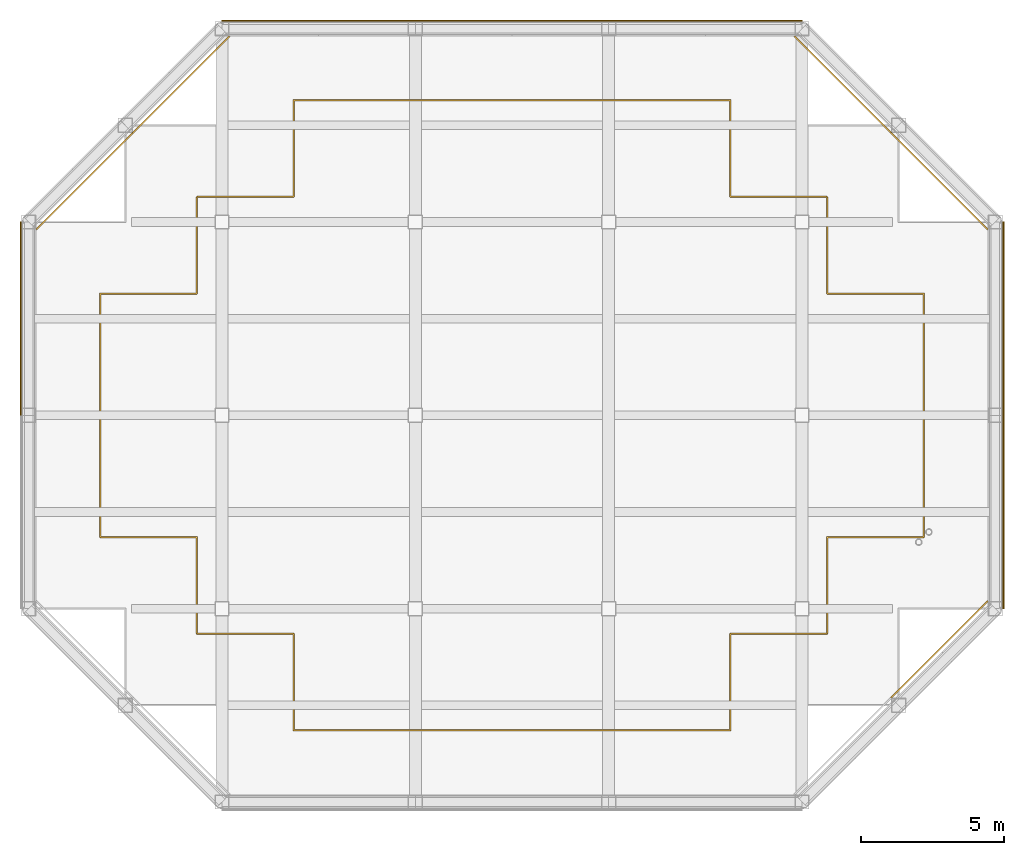
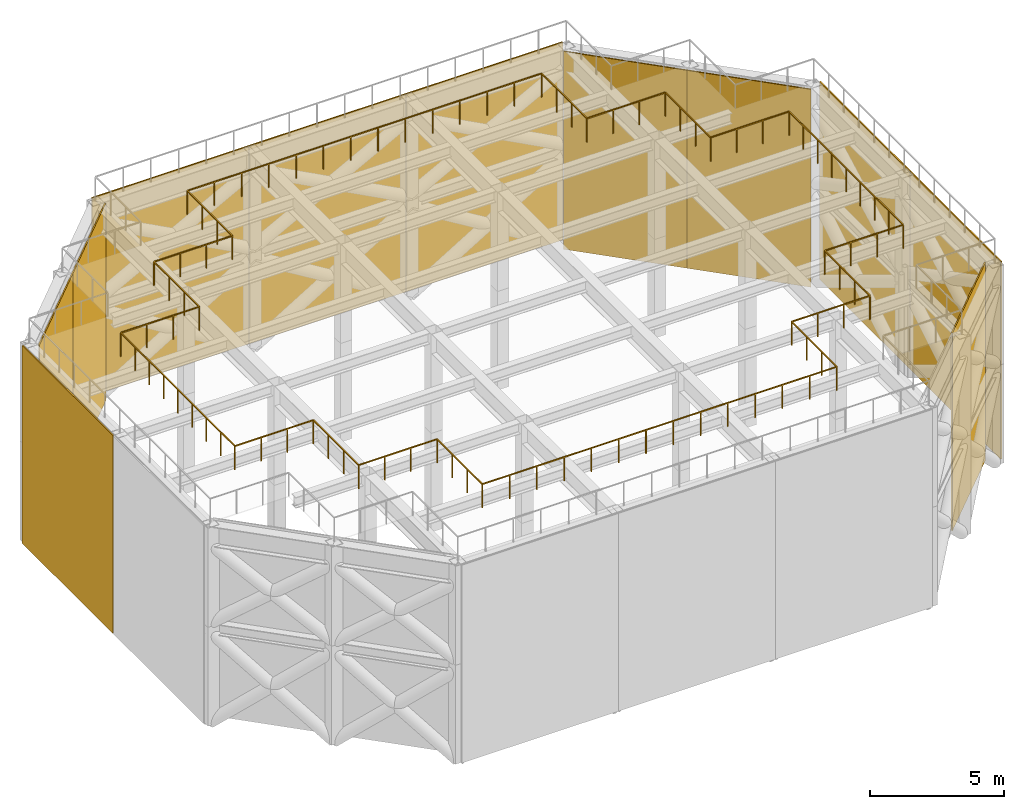
# One storey, part 5 of 5: 11 coverings, 1 railing.
"""IFC4 building model written with IfcOpenShell, lengths in metres."""

from ifc_helpers import new_model, si_unit, direction, frame, origin, origin_2d, place, context, subcontext, project, spatial, polyline, rectangle, outline, extrude, material, layer, layer_set, type_object, element, save


model = new_model("IFC4")

# Units and contexts
model_context = context("Model", 3, precision=1e-05, world=origin(), true_north=direction((0.0, 1.0)))
body_context = subcontext(model_context, "Body", "Model", "MODEL_VIEW")
ifc_project = project(units=[si_unit("LENGTHUNIT", "METRE"), si_unit("AREAUNIT", "SQUARE_METRE"), si_unit("VOLUMEUNIT", "CUBIC_METRE"), si_unit("PLANEANGLEUNIT", "RADIAN"), si_unit("MASSUNIT", "GRAM", prefix="KILO")], contexts=[model_context])

# Site, building, storey
site_placement = place(None, origin())
site = spatial("IfcSite", under=ifc_project, at=site_placement, CompositionType="ELEMENT")
building_placement = place(site_placement, origin())
building = spatial("IfcBuilding", under=site, at=building_placement, Name="Nyansa Garden Tower", CompositionType="ELEMENT")
storey_placement = place(building_placement, frame((0.0, 0.0, 259.199951171875)))
storey = spatial("IfcBuildingStorey", under=building, at=storey_placement, Name="L70", CompositionType="ELEMENT", Elevation=259.199951171875)

# Railing
ifc_material_1 = material(Name="Galvanised steel balustrade, 1.1 m", Category="steel")
railing_type = type_object("IfcRailingType", Name="Crown frame cap guard G5", PredefinedType="GUARDRAIL", material=ifc_material_1)
railing_placement = place(storey_placement, frame((31.25, 16.0, 9.0400390625)))
element("IfcRailing", 1, at=railing_placement, inside=storey, type_object=railing_type, Name="Crown frame cap guard inner", PredefinedType="GUARDRAIL", context=body_context, shape_type="SweptSolid", body=[
    extrude(rectangle(XDim=0.048095703125, YDim=0.048095703125, at=origin_2d()), frame((0.0, 0.0, 1.076171875), z_axis=(-1.0, 0.0, 0.0), x_axis=(0.0, -1.0, 0.0)), (0.0, 0.0, 1.0), 3.375),
    extrude(rectangle(XDim=0.048095703125, YDim=0.048095703125, at=origin_2d()), frame((-3.375, 0.0, 1.076171875), z_axis=(0.0, -1.0, 0.0), x_axis=(1.0, 0.0, 0.0)), (0.0, 0.0, 1.0), 3.375),
    extrude(rectangle(XDim=0.048095703125, YDim=0.048095703125, at=origin_2d()), frame((-3.375, -3.375, 1.076171875), z_axis=(-1.0, 0.0, 0.0), x_axis=(0.0, -1.0, 0.0)), (0.0, 0.0, 1.0), 3.375),
    extrude(rectangle(XDim=0.048095703125, YDim=0.048095703125, at=origin_2d()), frame((-6.75, -3.375, 1.076171875), z_axis=(0.0, -1.0, 0.0), x_axis=(1.0, 0.0, 0.0)), (0.0, 0.0, 1.0), 3.375),
    extrude(rectangle(XDim=0.048095703125, YDim=0.048095703125, at=origin_2d()), frame((-6.75, -6.75, 1.076171875), z_axis=(-1.0, 0.0, 0.0), x_axis=(0.0, -1.0, 0.0)), (0.0, 0.0, 1.0), 15.25),
    extrude(rectangle(XDim=0.048095703125, YDim=0.048095703125, at=origin_2d()), frame((-22.0, -6.75, 1.076171875), z_axis=(0.0, 1.0, 0.0), x_axis=(-1.0, 0.0, 0.0)), (0.0, 0.0, 1.0), 3.375),
    extrude(rectangle(XDim=0.048095703125, YDim=0.048095703125, at=origin_2d()), frame((-22.0, -3.375, 1.076171875), z_axis=(-1.0, 0.0, 0.0), x_axis=(0.0, -1.0, 0.0)), (0.0, 0.0, 1.0), 3.375),
    extrude(rectangle(XDim=0.048095703125, YDim=0.048095703125, at=origin_2d()), frame((-25.375, -3.375, 1.076171875), z_axis=(0.0, 1.0, 0.0), x_axis=(-1.0, 0.0, 0.0)), (0.0, 0.0, 1.0), 3.375),
    extrude(rectangle(XDim=0.048095703125, YDim=0.048095703125, at=origin_2d()), frame((-25.375, 0.0, 1.076171875), z_axis=(-1.0, 0.0, 0.0), x_axis=(0.0, -1.0, 0.0)), (0.0, 0.0, 1.0), 3.375),
    extrude(rectangle(XDim=0.048095703125, YDim=0.048095703125, at=origin_2d()), frame((-28.75, 0.0, 1.076171875), z_axis=(0.0, 1.0, 0.0), x_axis=(-1.0, 0.0, 0.0)), (0.0, 0.0, 1.0), 8.5),
    extrude(rectangle(XDim=0.048095703125, YDim=0.048095703125, at=origin_2d()), frame((-28.75, 8.5, 1.076171875), z_axis=(1.0, 0.0, 0.0), x_axis=(0.0, 1.0, 0.0)), (0.0, 0.0, 1.0), 3.375),
    extrude(rectangle(XDim=0.048095703125, YDim=0.048095703125, at=origin_2d()), frame((-25.375, 8.5, 1.076171875), z_axis=(0.0, 1.0, 0.0), x_axis=(-1.0, 0.0, 0.0)), (0.0, 0.0, 1.0), 3.375),
    extrude(rectangle(XDim=0.048095703125, YDim=0.048095703125, at=origin_2d()), frame((-25.375, 11.875, 1.076171875), z_axis=(1.0, 0.0, 0.0), x_axis=(0.0, 1.0, 0.0)), (0.0, 0.0, 1.0), 3.375),
    extrude(rectangle(XDim=0.048095703125, YDim=0.048095703125, at=origin_2d()), frame((-22.0, 11.875, 1.076171875), z_axis=(0.0, 1.0, 0.0), x_axis=(-1.0, 0.0, 0.0)), (0.0, 0.0, 1.0), 3.375),
    extrude(rectangle(XDim=0.048095703125, YDim=0.048095703125, at=origin_2d()), frame((-22.0, 15.25, 1.076171875), z_axis=(1.0, 0.0, 0.0), x_axis=(0.0, 1.0, 0.0)), (0.0, 0.0, 1.0), 15.25),
    extrude(rectangle(XDim=0.048095703125, YDim=0.048095703125, at=origin_2d()), frame((-6.75, 15.25, 1.076171875), z_axis=(0.0, -1.0, 0.0), x_axis=(1.0, 0.0, 0.0)), (0.0, 0.0, 1.0), 3.375),
    extrude(rectangle(XDim=0.048095703125, YDim=0.048095703125, at=origin_2d()), frame((-6.75, 11.875, 1.076171875), z_axis=(1.0, 0.0, 0.0), x_axis=(0.0, 1.0, 0.0)), (0.0, 0.0, 1.0), 3.375),
    extrude(rectangle(XDim=0.048095703125, YDim=0.048095703125, at=origin_2d()), frame((-3.375, 11.875, 1.076171875), z_axis=(0.0, -1.0, 0.0), x_axis=(1.0, 0.0, 0.0)), (0.0, 0.0, 1.0), 3.375),
    extrude(rectangle(XDim=0.048095703125, YDim=0.048095703125, at=origin_2d()), frame((-3.375, 8.5, 1.076171875), z_axis=(1.0, 0.0, 0.0), x_axis=(0.0, 1.0, 0.0)), (0.0, 0.0, 1.0), 3.375),
    extrude(rectangle(XDim=0.048095703125, YDim=0.048095703125, at=origin_2d()), frame((0.0, 8.5, 1.076171875), z_axis=(0.0, -1.0, 0.0), x_axis=(1.0, 0.0, 0.0)), (0.0, 0.0, 1.0), 8.5),
    extrude(rectangle(XDim=0.0419921875, YDim=0.0419921875, at=origin_2d()), origin(), (0.0, 0.0, 1.0), 1.052001953125),
    extrude(rectangle(XDim=0.0419921875, YDim=0.0419921875, at=origin_2d()), frame((-1.125, 0.0, 0.0)), (0.0, 0.0, 1.0), 1.052001953125),
    extrude(rectangle(XDim=0.0419921875, YDim=0.0419921875, at=origin_2d()), frame((-2.25, 0.0, 0.0)), (0.0, 0.0, 1.0), 1.052001953125),
    extrude(rectangle(XDim=0.0419921875, YDim=0.0419921875, at=origin_2d()), frame((-3.375, 0.0, 0.0)), (0.0, 0.0, 1.0), 1.052001953125),
    extrude(rectangle(XDim=0.0419921875, YDim=0.0419921875, at=origin_2d()), frame((-3.375, -1.125, 0.0)), (0.0, 0.0, 1.0), 1.052001953125),
    extrude(rectangle(XDim=0.0419921875, YDim=0.0419921875, at=origin_2d()), frame((-3.375, -2.25, 0.0)), (0.0, 0.0, 1.0), 1.052001953125),
    extrude(rectangle(XDim=0.0419921875, YDim=0.0419921875, at=origin_2d()), frame((-3.375, -3.375, 0.0)), (0.0, 0.0, 1.0), 1.052001953125),
    extrude(rectangle(XDim=0.0419921875, YDim=0.0419921875, at=origin_2d()), frame((-4.5, -3.375, 0.0)), (0.0, 0.0, 1.0), 1.052001953125),
    extrude(rectangle(XDim=0.0419921875, YDim=0.0419921875, at=origin_2d()), frame((-5.625, -3.375, 0.0)), (0.0, 0.0, 1.0), 1.052001953125),
    extrude(rectangle(XDim=0.0419921875, YDim=0.0419921875, at=origin_2d()), frame((-6.75, -3.375, 0.0)), (0.0, 0.0, 1.0), 1.052001953125),
    extrude(rectangle(XDim=0.0419921875, YDim=0.0419921875, at=origin_2d()), frame((-6.75, -4.5, 0.0)), (0.0, 0.0, 1.0), 1.052001953125),
    extrude(rectangle(XDim=0.0419921875, YDim=0.0419921875, at=origin_2d()), frame((-6.75, -5.625, 0.0)), (0.0, 0.0, 1.0), 1.052001953125),
    extrude(rectangle(XDim=0.0419921875, YDim=0.0419921875, at=origin_2d()), frame((-6.75, -6.75, 0.0)), (0.0, 0.0, 1.0), 1.052001953125),
    extrude(rectangle(XDim=0.0419921875, YDim=0.0419921875, at=origin_2d()), frame((-7.923095703125, -6.75, 0.0)), (0.0, 0.0, 1.0), 1.052001953125),
    extrude(rectangle(XDim=0.0419921875, YDim=0.0419921875, at=origin_2d()), frame((-9.09619140625, -6.75, 0.0)), (0.0, 0.0, 1.0), 1.052001953125),
    extrude(rectangle(XDim=0.0419921875, YDim=0.0419921875, at=origin_2d()), frame((-10.269287109375, -6.75, 0.0)), (0.0, 0.0, 1.0), 1.052001953125),
    extrude(rectangle(XDim=0.0419921875, YDim=0.0419921875, at=origin_2d()), frame((-11.4423828125, -6.75, 0.0)), (0.0, 0.0, 1.0), 1.052001953125),
    extrude(rectangle(XDim=0.0419921875, YDim=0.0419921875, at=origin_2d()), frame((-12.615478515625, -6.75, 0.0)), (0.0, 0.0, 1.0), 1.052001953125),
    extrude(rectangle(XDim=0.0419921875, YDim=0.0419921875, at=origin_2d()), frame((-13.78857421875, -6.75, 0.0)), (0.0, 0.0, 1.0), 1.052001953125),
    extrude(rectangle(XDim=0.0419921875, YDim=0.0419921875, at=origin_2d()), frame((-14.96142578125, -6.75, 0.0)), (0.0, 0.0, 1.0), 1.052001953125),
    extrude(rectangle(XDim=0.0419921875, YDim=0.0419921875, at=origin_2d()), frame((-16.134521484375, -6.75, 0.0)), (0.0, 0.0, 1.0), 1.052001953125),
    extrude(rectangle(XDim=0.0419921875, YDim=0.0419921875, at=origin_2d()), frame((-17.3076171875, -6.75, 0.0)), (0.0, 0.0, 1.0), 1.052001953125),
    extrude(rectangle(XDim=0.0419921875, YDim=0.0419921875, at=origin_2d()), frame((-18.480712890625, -6.75, 0.0)), (0.0, 0.0, 1.0), 1.052001953125),
    extrude(rectangle(XDim=0.0419921875, YDim=0.0419921875, at=origin_2d()), frame((-19.65380859375, -6.75, 0.0)), (0.0, 0.0, 1.0), 1.052001953125),
    extrude(rectangle(XDim=0.0419921875, YDim=0.0419921875, at=origin_2d()), frame((-20.826904296875, -6.75, 0.0)), (0.0, 0.0, 1.0), 1.052001953125),
    extrude(rectangle(XDim=0.0419921875, YDim=0.0419921875, at=origin_2d()), frame((-22.0, -6.75, 0.0)), (0.0, 0.0, 1.0), 1.052001953125),
    extrude(rectangle(XDim=0.0419921875, YDim=0.0419921875, at=origin_2d()), frame((-22.0, -5.625, 0.0)), (0.0, 0.0, 1.0), 1.052001953125),
    extrude(rectangle(XDim=0.0419921875, YDim=0.0419921875, at=origin_2d()), frame((-22.0, -4.5, 0.0)), (0.0, 0.0, 1.0), 1.052001953125),
    extrude(rectangle(XDim=0.0419921875, YDim=0.0419921875, at=origin_2d()), frame((-22.0, -3.375, 0.0)), (0.0, 0.0, 1.0), 1.052001953125),
    extrude(rectangle(XDim=0.0419921875, YDim=0.0419921875, at=origin_2d()), frame((-23.125, -3.375, 0.0)), (0.0, 0.0, 1.0), 1.052001953125),
    extrude(rectangle(XDim=0.0419921875, YDim=0.0419921875, at=origin_2d()), frame((-24.25, -3.375, 0.0)), (0.0, 0.0, 1.0), 1.052001953125),
    extrude(rectangle(XDim=0.0419921875, YDim=0.0419921875, at=origin_2d()), frame((-25.375, -3.375, 0.0)), (0.0, 0.0, 1.0), 1.052001953125),
    extrude(rectangle(XDim=0.0419921875, YDim=0.0419921875, at=origin_2d()), frame((-25.375, -2.25, 0.0)), (0.0, 0.0, 1.0), 1.052001953125),
    extrude(rectangle(XDim=0.0419921875, YDim=0.0419921875, at=origin_2d()), frame((-25.375, -1.125, 0.0)), (0.0, 0.0, 1.0), 1.052001953125),
    extrude(rectangle(XDim=0.0419921875, YDim=0.0419921875, at=origin_2d()), frame((-25.375, 0.0, 0.0)), (0.0, 0.0, 1.0), 1.052001953125),
    extrude(rectangle(XDim=0.0419921875, YDim=0.0419921875, at=origin_2d()), frame((-26.5, 0.0, 0.0)), (0.0, 0.0, 1.0), 1.052001953125),
    extrude(rectangle(XDim=0.0419921875, YDim=0.0419921875, at=origin_2d()), frame((-27.625, 0.0, 0.0)), (0.0, 0.0, 1.0), 1.052001953125),
    extrude(rectangle(XDim=0.0419921875, YDim=0.0419921875, at=origin_2d()), frame((-28.75, 0.0, 0.0)), (0.0, 0.0, 1.0), 1.052001953125),
    extrude(rectangle(XDim=0.0419921875, YDim=0.0419921875, at=origin_2d()), frame((-28.75, 1.0625, 0.0)), (0.0, 0.0, 1.0), 1.052001953125),
    extrude(rectangle(XDim=0.0419921875, YDim=0.0419921875, at=origin_2d()), frame((-28.75, 2.125, 0.0)), (0.0, 0.0, 1.0), 1.052001953125),
    extrude(rectangle(XDim=0.0419921875, YDim=0.0419921875, at=origin_2d()), frame((-28.75, 3.1875, 0.0)), (0.0, 0.0, 1.0), 1.052001953125),
    extrude(rectangle(XDim=0.0419921875, YDim=0.0419921875, at=origin_2d()), frame((-28.75, 4.25, 0.0)), (0.0, 0.0, 1.0), 1.052001953125),
    extrude(rectangle(XDim=0.0419921875, YDim=0.0419921875, at=origin_2d()), frame((-28.75, 5.3125, 0.0)), (0.0, 0.0, 1.0), 1.052001953125),
    extrude(rectangle(XDim=0.0419921875, YDim=0.0419921875, at=origin_2d()), frame((-28.75, 6.375, 0.0)), (0.0, 0.0, 1.0), 1.052001953125),
    extrude(rectangle(XDim=0.0419921875, YDim=0.0419921875, at=origin_2d()), frame((-28.75, 7.4375, 0.0)), (0.0, 0.0, 1.0), 1.052001953125),
    extrude(rectangle(XDim=0.0419921875, YDim=0.0419921875, at=origin_2d()), frame((-28.75, 8.5, 0.0)), (0.0, 0.0, 1.0), 1.052001953125),
    extrude(rectangle(XDim=0.0419921875, YDim=0.0419921875, at=origin_2d()), frame((-27.625, 8.5, 0.0)), (0.0, 0.0, 1.0), 1.052001953125),
    extrude(rectangle(XDim=0.0419921875, YDim=0.0419921875, at=origin_2d()), frame((-26.5, 8.5, 0.0)), (0.0, 0.0, 1.0), 1.052001953125),
    extrude(rectangle(XDim=0.0419921875, YDim=0.0419921875, at=origin_2d()), frame((-25.375, 8.5, 0.0)), (0.0, 0.0, 1.0), 1.052001953125),
    extrude(rectangle(XDim=0.0419921875, YDim=0.0419921875, at=origin_2d()), frame((-25.375, 9.625, 0.0)), (0.0, 0.0, 1.0), 1.052001953125),
    extrude(rectangle(XDim=0.0419921875, YDim=0.0419921875, at=origin_2d()), frame((-25.375, 10.75, 0.0)), (0.0, 0.0, 1.0), 1.052001953125),
    extrude(rectangle(XDim=0.0419921875, YDim=0.0419921875, at=origin_2d()), frame((-25.375, 11.875, 0.0)), (0.0, 0.0, 1.0), 1.052001953125),
    extrude(rectangle(XDim=0.0419921875, YDim=0.0419921875, at=origin_2d()), frame((-24.25, 11.875, 0.0)), (0.0, 0.0, 1.0), 1.052001953125),
    extrude(rectangle(XDim=0.0419921875, YDim=0.0419921875, at=origin_2d()), frame((-23.125, 11.875, 0.0)), (0.0, 0.0, 1.0), 1.052001953125),
    extrude(rectangle(XDim=0.0419921875, YDim=0.0419921875, at=origin_2d()), frame((-22.0, 11.875, 0.0)), (0.0, 0.0, 1.0), 1.052001953125),
    extrude(rectangle(XDim=0.0419921875, YDim=0.0419921875, at=origin_2d()), frame((-22.0, 13.0, 0.0)), (0.0, 0.0, 1.0), 1.052001953125),
    extrude(rectangle(XDim=0.0419921875, YDim=0.0419921875, at=origin_2d()), frame((-22.0, 14.125, 0.0)), (0.0, 0.0, 1.0), 1.052001953125),
    extrude(rectangle(XDim=0.0419921875, YDim=0.0419921875, at=origin_2d()), frame((-22.0, 15.25, 0.0)), (0.0, 0.0, 1.0), 1.052001953125),
    extrude(rectangle(XDim=0.0419921875, YDim=0.0419921875, at=origin_2d()), frame((-20.826904296875, 15.25, 0.0)), (0.0, 0.0, 1.0), 1.052001953125),
    extrude(rectangle(XDim=0.0419921875, YDim=0.0419921875, at=origin_2d()), frame((-19.65380859375, 15.25, 0.0)), (0.0, 0.0, 1.0), 1.052001953125),
    extrude(rectangle(XDim=0.0419921875, YDim=0.0419921875, at=origin_2d()), frame((-18.480712890625, 15.25, 0.0)), (0.0, 0.0, 1.0), 1.052001953125),
    extrude(rectangle(XDim=0.0419921875, YDim=0.0419921875, at=origin_2d()), frame((-17.3076171875, 15.25, 0.0)), (0.0, 0.0, 1.0), 1.052001953125),
    extrude(rectangle(XDim=0.0419921875, YDim=0.0419921875, at=origin_2d()), frame((-16.134521484375, 15.25, 0.0)), (0.0, 0.0, 1.0), 1.052001953125),
    extrude(rectangle(XDim=0.0419921875, YDim=0.0419921875, at=origin_2d()), frame((-14.96142578125, 15.25, 0.0)), (0.0, 0.0, 1.0), 1.052001953125),
    extrude(rectangle(XDim=0.0419921875, YDim=0.0419921875, at=origin_2d()), frame((-13.78857421875, 15.25, 0.0)), (0.0, 0.0, 1.0), 1.052001953125),
    extrude(rectangle(XDim=0.0419921875, YDim=0.0419921875, at=origin_2d()), frame((-12.615478515625, 15.25, 0.0)), (0.0, 0.0, 1.0), 1.052001953125),
    extrude(rectangle(XDim=0.0419921875, YDim=0.0419921875, at=origin_2d()), frame((-11.4423828125, 15.25, 0.0)), (0.0, 0.0, 1.0), 1.052001953125),
    extrude(rectangle(XDim=0.0419921875, YDim=0.0419921875, at=origin_2d()), frame((-10.269287109375, 15.25, 0.0)), (0.0, 0.0, 1.0), 1.052001953125),
    extrude(rectangle(XDim=0.0419921875, YDim=0.0419921875, at=origin_2d()), frame((-9.09619140625, 15.25, 0.0)), (0.0, 0.0, 1.0), 1.052001953125),
    extrude(rectangle(XDim=0.0419921875, YDim=0.0419921875, at=origin_2d()), frame((-7.923095703125, 15.25, 0.0)), (0.0, 0.0, 1.0), 1.052001953125),
    extrude(rectangle(XDim=0.0419921875, YDim=0.0419921875, at=origin_2d()), frame((-6.75, 15.25, 0.0)), (0.0, 0.0, 1.0), 1.052001953125),
    extrude(rectangle(XDim=0.0419921875, YDim=0.0419921875, at=origin_2d()), frame((-6.75, 14.125, 0.0)), (0.0, 0.0, 1.0), 1.052001953125),
    extrude(rectangle(XDim=0.0419921875, YDim=0.0419921875, at=origin_2d()), frame((-6.75, 13.0, 0.0)), (0.0, 0.0, 1.0), 1.052001953125),
    extrude(rectangle(XDim=0.0419921875, YDim=0.0419921875, at=origin_2d()), frame((-6.75, 11.875, 0.0)), (0.0, 0.0, 1.0), 1.052001953125),
    extrude(rectangle(XDim=0.0419921875, YDim=0.0419921875, at=origin_2d()), frame((-5.625, 11.875, 0.0)), (0.0, 0.0, 1.0), 1.052001953125),
    extrude(rectangle(XDim=0.0419921875, YDim=0.0419921875, at=origin_2d()), frame((-4.5, 11.875, 0.0)), (0.0, 0.0, 1.0), 1.052001953125),
    extrude(rectangle(XDim=0.0419921875, YDim=0.0419921875, at=origin_2d()), frame((-3.375, 11.875, 0.0)), (0.0, 0.0, 1.0), 1.052001953125),
    extrude(rectangle(XDim=0.0419921875, YDim=0.0419921875, at=origin_2d()), frame((-3.375, 10.75, 0.0)), (0.0, 0.0, 1.0), 1.052001953125),
    extrude(rectangle(XDim=0.0419921875, YDim=0.0419921875, at=origin_2d()), frame((-3.375, 9.625, 0.0)), (0.0, 0.0, 1.0), 1.052001953125),
    extrude(rectangle(XDim=0.0419921875, YDim=0.0419921875, at=origin_2d()), frame((-3.375, 8.5, 0.0)), (0.0, 0.0, 1.0), 1.052001953125),
    extrude(rectangle(XDim=0.0419921875, YDim=0.0419921875, at=origin_2d()), frame((-2.25, 8.5, 0.0)), (0.0, 0.0, 1.0), 1.052001953125),
    extrude(rectangle(XDim=0.0419921875, YDim=0.0419921875, at=origin_2d()), frame((-1.125, 8.5, 0.0)), (0.0, 0.0, 1.0), 1.052001953125),
    extrude(rectangle(XDim=0.0419921875, YDim=0.0419921875, at=origin_2d()), frame((0.0, 8.5, 0.0)), (0.0, 0.0, 1.0), 1.052001953125),
    extrude(rectangle(XDim=0.0419921875, YDim=0.0419921875, at=origin_2d()), frame((0.0, 7.4375, 0.0)), (0.0, 0.0, 1.0), 1.052001953125),
    extrude(rectangle(XDim=0.0419921875, YDim=0.0419921875, at=origin_2d()), frame((0.0, 6.375, 0.0)), (0.0, 0.0, 1.0), 1.052001953125),
    extrude(rectangle(XDim=0.0419921875, YDim=0.0419921875, at=origin_2d()), frame((0.0, 5.3125, 0.0)), (0.0, 0.0, 1.0), 1.052001953125),
    extrude(rectangle(XDim=0.0419921875, YDim=0.0419921875, at=origin_2d()), frame((0.0, 4.25, 0.0)), (0.0, 0.0, 1.0), 1.052001953125),
    extrude(rectangle(XDim=0.0419921875, YDim=0.0419921875, at=origin_2d()), frame((0.0, 3.1875, 0.0)), (0.0, 0.0, 1.0), 1.052001953125),
    extrude(rectangle(XDim=0.0419921875, YDim=0.0419921875, at=origin_2d()), frame((0.0, 2.125, 0.0)), (0.0, 0.0, 1.0), 1.052001953125),
    extrude(rectangle(XDim=0.0419921875, YDim=0.0419921875, at=origin_2d()), frame((0.0, 1.0625, 0.0)), (0.0, 0.0, 1.0), 1.052001953125),
])

# Coverings
ifc_material_2 = material(Name="Black powder-coated aluminium 6063-T6 perforated screen", Category="aluminium")
ifc_layer = layer(ifc_material_2, 0.050048828125)
ifc_layer_set = layer_set([ifc_layer], Name="Crown frame screen panel CS50")
covering_type = type_object("IfcCoveringType", Name="Crown frame screen panel CS50", PredefinedType="CLADDING", material=ifc_layer_set)
covering_1_placement = place(storey_placement, origin())
element("IfcCovering", 2, at=covering_1_placement, inside=storey, type_object=covering_type, Name="Crown frame screen panel 1", PredefinedType="CLADDING", context=body_context, shape_type="SweptSolid", body=[
    extrude(outline(polyline([(33.464599609375, 13.785400390625), (30.089599609375, 10.410400390625), (30.125, 10.375), (33.5, 13.75), (33.464599609375, 13.785400390625)])), origin(), (0.0, 0.0, 1.0), 9.0),
])
covering_2_placement = place(storey_placement, origin())
element("IfcCovering", 3, at=covering_2_placement, inside=storey, type_object=covering_type, Name="Crown frame screen panel 9", PredefinedType="CLADDING", context=body_context, shape_type="SweptSolid", body=[
    extrude(outline(polyline([(-0.25, 20.25), (-0.25, 27.0), (-0.300048828125, 27.0), (-0.300048828125, 20.25), (-0.25, 20.25)])), origin(), (0.0, 0.0, 1.0), 9.0),
])
covering_3_placement = place(storey_placement, origin())
element("IfcCovering", 4, at=covering_3_placement, inside=storey, type_object=covering_type, Name="Crown frame screen panel 10", PredefinedType="CLADDING", context=body_context, shape_type="SweptSolid", body=[
    extrude(outline(polyline([(0.285400390625, 26.714599609375), (3.660400390625, 30.089599609375), (3.625, 30.125), (0.25, 26.75), (0.285400390625, 26.714599609375)])), origin(), (0.0, 0.0, 1.0), 9.0),
])
covering_4_placement = place(storey_placement, origin())
element("IfcCovering", 5, at=covering_4_placement, inside=storey, type_object=covering_type, Name="Crown frame screen panel 11", PredefinedType="CLADDING", context=body_context, shape_type="SweptSolid", body=[
    extrude(outline(polyline([(3.660400390625, 30.089599609375), (7.035400390625, 33.464599609375), (7.0, 33.5), (3.625, 30.125), (3.660400390625, 30.089599609375)])), origin(), (0.0, 0.0, 1.0), 9.0),
])
covering_5_placement = place(storey_placement, origin())
element("IfcCovering", 6, at=covering_5_placement, inside=storey, type_object=covering_type, Name="Crown frame screen panel 12", PredefinedType="CLADDING", context=body_context, shape_type="SweptSolid", body=[
    extrude(outline(polyline([(6.75, 34.0), (13.5, 34.0), (13.5, 34.050048828125), (6.75, 34.050048828125), (6.75, 34.0)])), origin(), (0.0, 0.0, 1.0), 9.0),
])
covering_6_placement = place(storey_placement, origin())
element("IfcCovering", 7, at=covering_6_placement, inside=storey, type_object=covering_type, Name="Crown frame screen panel 13", PredefinedType="CLADDING", context=body_context, shape_type="SweptSolid", body=[
    extrude(outline(polyline([(13.5, 34.0), (20.25, 34.0), (20.25, 34.050048828125), (13.5, 34.050048828125), (13.5, 34.0)])), origin(), (0.0, 0.0, 1.0), 9.0),
])
covering_7_placement = place(storey_placement, origin())
element("IfcCovering", 8, at=covering_7_placement, inside=storey, type_object=covering_type, Name="Crown frame screen panel 14", PredefinedType="CLADDING", context=body_context, shape_type="SweptSolid", body=[
    extrude(outline(polyline([(20.25, 34.0), (27.0, 34.0), (27.0, 34.050048828125), (20.25, 34.050048828125), (20.25, 34.0)])), origin(), (0.0, 0.0, 1.0), 9.0),
])
covering_8_placement = place(storey_placement, origin())
element("IfcCovering", 9, at=covering_8_placement, inside=storey, type_object=covering_type, Name="Crown frame screen panel 15", PredefinedType="CLADDING", context=body_context, shape_type="SweptSolid", body=[
    extrude(outline(polyline([(26.714599609375, 33.464599609375), (30.089599609375, 30.089599609375), (30.125, 30.125), (26.75, 33.5), (26.714599609375, 33.464599609375)])), origin(), (0.0, 0.0, 1.0), 9.0),
])
covering_9_placement = place(storey_placement, origin())
element("IfcCovering", 10, at=covering_9_placement, inside=storey, type_object=covering_type, Name="Crown frame screen panel 16", PredefinedType="CLADDING", context=body_context, shape_type="SweptSolid", body=[
    extrude(outline(polyline([(30.089599609375, 30.089599609375), (33.464599609375, 26.714599609375), (33.5, 26.75), (30.125, 30.125), (30.089599609375, 30.089599609375)])), origin(), (0.0, 0.0, 1.0), 9.0),
])
covering_10_placement = place(storey_placement, origin())
element("IfcCovering", 11, at=covering_10_placement, inside=storey, type_object=covering_type, Name="Crown frame screen panel 17", PredefinedType="CLADDING", context=body_context, shape_type="SweptSolid", body=[
    extrude(outline(polyline([(34.0, 27.0), (34.0, 20.25), (34.050048828125, 20.25), (34.050048828125, 27.0), (34.0, 27.0)])), origin(), (0.0, 0.0, 1.0), 9.0),
])
covering_11_placement = place(storey_placement, origin())
element("IfcCovering", 12, at=covering_11_placement, inside=storey, type_object=covering_type, Name="Crown frame screen panel 18", PredefinedType="CLADDING", context=body_context, shape_type="SweptSolid", body=[
    extrude(outline(polyline([(34.0, 20.25), (34.0, 13.5), (34.050048828125, 13.5), (34.050048828125, 20.25), (34.0, 20.25)])), origin(), (0.0, 0.0, 1.0), 9.0),
])

save(model, "model.ifc")
